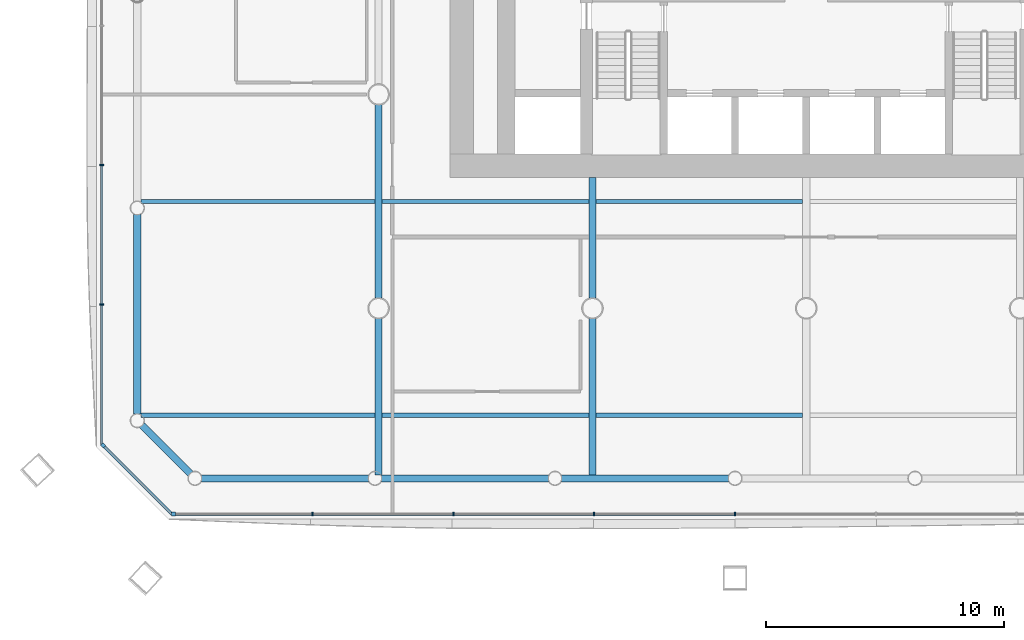
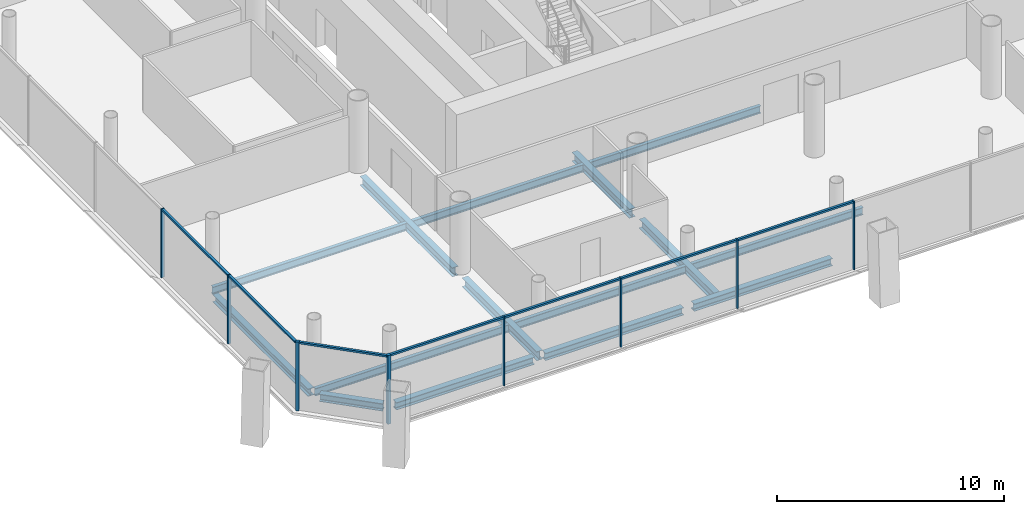
# One storey, part 3 of 21: 15 beams, 15 members, 3 elements without a shape of their own.
"""IFC4 building model written with IfcOpenShell, lengths in metres."""

from ifc_helpers import new_model, si_unit, direction, frame, origin, origin_2d, place, context, subcontext, project, spatial, rectangle, i_section, extrude, material, material_profile, profile_set, type_object, element, aggregate, save


model = new_model("IFC4")

# Units and contexts
model_context = context("Model", 3, precision=1e-05, world=origin(), true_north=direction((0.0, 1.0)))
body_context = subcontext(model_context, "Body", "Model", "MODEL_VIEW")
ifc_project = project(units=[si_unit("LENGTHUNIT", "METRE"), si_unit("AREAUNIT", "SQUARE_METRE"), si_unit("VOLUMEUNIT", "CUBIC_METRE"), si_unit("PLANEANGLEUNIT", "RADIAN"), si_unit("MASSUNIT", "GRAM", prefix="KILO")], contexts=[model_context])

# Site, building, storey
site_placement = place(None, origin())
site = spatial("IfcSite", under=ifc_project, at=site_placement, CompositionType="ELEMENT")
building_placement = place(site_placement, origin())
building = spatial("IfcBuilding", under=site, at=building_placement, Name="Tskaro Facet Tower", CompositionType="ELEMENT")
storey_placement = place(building_placement, frame((0.0, 0.0, 42.0)))
storey = spatial("IfcBuildingStorey", under=building, at=storey_placement, Name="L09", CompositionType="ELEMENT", Elevation=42.0)

# Curtain wall, member
ifc_material_1 = material(Name="Bronze anodised aluminium 6063-T6", Category="aluminium")
curtain_wall_type = type_object("IfcCurtainWallType", Name="Bronze office curtain wall (FW1)", PredefinedType="NOTDEFINED", material=ifc_material_1)
curtain_wall_1_placement = place(storey_placement, origin())
curtain_wall_1 = element("IfcCurtainWall", 1, at=curtain_wall_1_placement, inside=storey, type_object=curtain_wall_type, Name="FW1 south facet L09", PredefinedType="NOTDEFINED")
ifc_material_profile_1 = material_profile(ifc_material_1, rectangle(XDim=0.159912109375, YDim=0.159912109375, at=origin_2d()), Name="Corner post 160x160")
ifc_profile_set_1 = profile_set([ifc_material_profile_1], Name="Bronze anodised aluminium 6063-T6")
member_type_1 = type_object("IfcMemberType", Name="FW1 bronze corner post 160x160", PredefinedType="MULLION", material=ifc_profile_set_1)
member_1_placement = place(storey_placement, frame((-26.633056640625, -26.654052734375, 0.0), z_axis=(0.0, 0.0, 1.0), x_axis=(1.0, 0.0, 0.0)))
member_1 = element("IfcMember", 2, at=member_1_placement, type_object=member_type_1, Name="FW1 south corner post", PredefinedType="MULLION", context=body_context, shape_type="SweptSolid", body=[
    extrude(rectangle(XDim=0.159912109375, YDim=0.159912109375, at=origin_2d()), origin(), (0.0, 0.0, 1.0), 3.699951171875),
])

curtain_wall_2_placement = place(storey_placement, origin())
curtain_wall_2 = element("IfcCurtainWall", 3, at=curtain_wall_2_placement, inside=storey, type_object=curtain_wall_type, Name="FW1 south-west facet L09", PredefinedType="NOTDEFINED")
member_2_placement = place(storey_placement, frame((-29.597412109375, -23.76953125, 0.0), z_axis=(0.0, 0.0, 1.0), x_axis=(0.707106781187, -0.707106781187, 0.0)))
member_2 = element("IfcMember", 4, at=member_2_placement, type_object=member_type_1, Name="FW1 south-west corner post", PredefinedType="MULLION", context=body_context, shape_type="SweptSolid", body=[
    extrude(rectangle(XDim=0.159912109375, YDim=0.159912109375, at=origin_2d()), origin(), (0.0, 0.0, 1.0), 3.699951171875),
])

# Member
ifc_material_profile_2 = material_profile(ifc_material_1, rectangle(XDim=0.06005859375, YDim=0.159912109375, at=origin_2d()), Name="Mullion 60x160")
ifc_profile_set_2 = profile_set([ifc_material_profile_2], Name="Bronze anodised aluminium 6063-T6")
member_type_2 = type_object("IfcMemberType", Name="FW1 bronze mullion 60x160", PredefinedType="MULLION", material=ifc_profile_set_2)
member_3_placement = place(storey_placement, frame((-20.78466796875, -26.654052734375, 0.0), z_axis=(0.0, 0.0, 1.0), x_axis=(1.0, 0.0, 0.0)))
member_3 = element("IfcMember", 5, at=member_3_placement, type_object=member_type_2, Name="FW1 south mullion 1", PredefinedType="MULLION", context=body_context, shape_type="SweptSolid", body=[
    extrude(rectangle(XDim=0.06005859375, YDim=0.159912109375, at=origin_2d()), origin(), (0.0, 0.0, 1.0), 3.699951171875),
])

member_4_placement = place(storey_placement, frame((-14.8564453125, -26.654052734375, 0.0), z_axis=(0.0, 0.0, 1.0), x_axis=(1.0, 0.0, 0.0)))
member_4 = element("IfcMember", 6, at=member_4_placement, type_object=member_type_2, Name="FW1 south mullion 2", PredefinedType="MULLION", context=body_context, shape_type="SweptSolid", body=[
    extrude(rectangle(XDim=0.06005859375, YDim=0.159912109375, at=origin_2d()), origin(), (0.0, 0.0, 1.0), 3.699951171875),
])

member_5_placement = place(storey_placement, frame((-8.92822265625, -26.654052734375, 0.0), z_axis=(0.0, 0.0, 1.0), x_axis=(1.0, 0.0, 0.0)))
member_5 = element("IfcMember", 7, at=member_5_placement, type_object=member_type_2, Name="FW1 south mullion 3", PredefinedType="MULLION", context=body_context, shape_type="SweptSolid", body=[
    extrude(rectangle(XDim=0.06005859375, YDim=0.159912109375, at=origin_2d()), origin(), (0.0, 0.0, 1.0), 3.699951171875),
])

member_6_placement = place(storey_placement, frame((-3.0, -26.654052734375, 0.0), z_axis=(0.0, 0.0, 1.0), x_axis=(1.0, 0.0, 0.0)))
member_6 = element("IfcMember", 8, at=member_6_placement, type_object=member_type_2, Name="FW1 south mullion 4", PredefinedType="MULLION", context=body_context, shape_type="SweptSolid", body=[
    extrude(rectangle(XDim=0.06005859375, YDim=0.159912109375, at=origin_2d()), origin(), (0.0, 0.0, 1.0), 3.699951171875),
])

# Curtain wall, members
curtain_wall_3_placement = place(storey_placement, origin())
curtain_wall_3 = element("IfcCurtainWall", 9, at=curtain_wall_3_placement, inside=storey, type_object=curtain_wall_type, Name="FW1 west facet L09", PredefinedType="NOTDEFINED")
member_7_placement = place(storey_placement, frame((-29.654052734375, -11.97607421875, 0.0), z_axis=(0.0, 0.0, 1.0), x_axis=(0.0, -1.0, 0.0)))
member_7 = element("IfcMember", 10, at=member_7_placement, type_object=member_type_2, Name="FW1 west mullion 6", PredefinedType="MULLION", context=body_context, shape_type="SweptSolid", body=[
    extrude(rectangle(XDim=0.06005859375, YDim=0.159912109375, at=origin_2d()), origin(), (0.0, 0.0, 1.0), 3.699951171875),
])
member_8_placement = place(storey_placement, frame((-29.654052734375, -17.844482421875, 0.0), z_axis=(0.0, 0.0, 1.0), x_axis=(0.0, -1.0, 0.0)))
member_8 = element("IfcMember", 11, at=member_8_placement, type_object=member_type_2, Name="FW1 west mullion 7", PredefinedType="MULLION", context=body_context, shape_type="SweptSolid", body=[
    extrude(rectangle(XDim=0.06005859375, YDim=0.159912109375, at=origin_2d()), origin(), (0.0, 0.0, 1.0), 3.699951171875),
])

# Member
ifc_material_profile_3 = material_profile(ifc_material_1, rectangle(XDim=0.1201171875, YDim=0.10009765625, at=origin_2d()), Name="Transom 120x100")
ifc_profile_set_3 = profile_set([ifc_material_profile_3], Name="Bronze anodised aluminium 6063-T6")
member_type_3 = type_object("IfcMemberType", Name="FW1 bronze transom 120x100", PredefinedType="USERDEFINED", material=ifc_profile_set_3)
member_9_placement = place(storey_placement, frame((-26.552978515625, -26.654052734375, 3.64990234375), z_axis=(1.0, 0.0, 0.0), x_axis=(0.0, 1.0, 0.0)))
member_9 = element("IfcMember", 12, at=member_9_placement, type_object=member_type_3, Name="FW1 south transom 1.1", ObjectType="TRANSOM", PredefinedType="USERDEFINED", context=body_context, shape_type="SweptSolid", body=[
    extrude(rectangle(XDim=0.1201171875, YDim=0.10009765625, at=origin_2d()), origin(), (0.0, 0.0, 1.0), 5.73828125),
])

member_10_placement = place(storey_placement, frame((-20.754638671875, -26.654052734375, 3.64990234375), z_axis=(1.0, 0.0, 0.0), x_axis=(0.0, 1.0, 0.0)))
member_10 = element("IfcMember", 13, at=member_10_placement, type_object=member_type_3, Name="FW1 south transom 2.1", ObjectType="TRANSOM", PredefinedType="USERDEFINED", context=body_context, shape_type="SweptSolid", body=[
    extrude(rectangle(XDim=0.1201171875, YDim=0.10009765625, at=origin_2d()), origin(), (0.0, 0.0, 1.0), 5.8681640625),
])

member_11_placement = place(storey_placement, frame((-14.826416015625, -26.654052734375, 3.64990234375), z_axis=(1.0, 0.0, 0.0), x_axis=(0.0, 1.0, 0.0)))
member_11 = element("IfcMember", 14, at=member_11_placement, type_object=member_type_3, Name="FW1 south transom 3.1", ObjectType="TRANSOM", PredefinedType="USERDEFINED", context=body_context, shape_type="SweptSolid", body=[
    extrude(rectangle(XDim=0.1201171875, YDim=0.10009765625, at=origin_2d()), origin(), (0.0, 0.0, 1.0), 5.8681640625),
])

member_12_placement = place(storey_placement, frame((-8.898193359375, -26.654052734375, 3.64990234375), z_axis=(1.0, 0.0, 0.0), x_axis=(0.0, 1.0, 0.0)))
member_12 = element("IfcMember", 15, at=member_12_placement, type_object=member_type_3, Name="FW1 south transom 4.1", ObjectType="TRANSOM", PredefinedType="USERDEFINED", context=body_context, shape_type="SweptSolid", body=[
    extrude(rectangle(XDim=0.1201171875, YDim=0.10009765625, at=origin_2d()), origin(), (0.0, 0.0, 1.0), 5.8681640625),
])

aggregate(curtain_wall_1, [member_1, member_3, member_4, member_5, member_6, member_9, member_10, member_11, member_12])

member_13_placement = place(storey_placement, frame((-29.654052734375, -12.006103515625, 3.64990234375), z_axis=(0.0, -1.0, 0.0), x_axis=(1.0, 0.0, 0.0)))
member_13 = element("IfcMember", 16, at=member_13_placement, type_object=member_type_3, Name="FW1 west transom 7.1", ObjectType="TRANSOM", PredefinedType="USERDEFINED", context=body_context, shape_type="SweptSolid", body=[
    extrude(rectangle(XDim=0.1201171875, YDim=0.10009765625, at=origin_2d()), origin(), (0.0, 0.0, 1.0), 5.808349609375),
])

member_14_placement = place(storey_placement, frame((-29.654052734375, -17.87451171875, 3.64990234375), z_axis=(0.0, -1.0, 0.0), x_axis=(1.0, 0.0, 0.0)))
member_14 = element("IfcMember", 17, at=member_14_placement, type_object=member_type_3, Name="FW1 west transom 8.1", ObjectType="TRANSOM", PredefinedType="USERDEFINED", context=body_context, shape_type="SweptSolid", body=[
    extrude(rectangle(XDim=0.1201171875, YDim=0.10009765625, at=origin_2d()), origin(), (0.0, 0.0, 1.0), 5.83837890625),
])

aggregate(curtain_wall_3, [member_7, member_8, member_13, member_14])

member_15_placement = place(storey_placement, frame((-29.540771484375, -23.826171875, 3.64990234375), z_axis=(0.707106781187, -0.707106781187, 0.0), x_axis=(0.707106781187, 0.707106781187, 0.0)))
member_15 = element("IfcMember", 18, at=member_15_placement, type_object=member_type_3, Name="FW1 south-west transom 1.1", ObjectType="TRANSOM", PredefinedType="USERDEFINED", context=body_context, shape_type="SweptSolid", body=[
    extrude(rectangle(XDim=0.1201171875, YDim=0.10009765625, at=origin_2d()), origin(), (0.0, 0.0, 1.0), 3.999267578125),
])

aggregate(curtain_wall_2, [member_2, member_15])

# Beams
ifc_material_2 = material(Name="Steel S355J2", Category="steel")
ifc_material_profile_4 = material_profile(ifc_material_2, i_section(OverallWidth=0.300048828125, OverallDepth=0.39990234375, WebThickness=0.013427734375, FlangeThickness=0.02392578125, FilletRadius=0.027099609375, at=origin_2d()), Name="HE 400 B")
ifc_profile_set_4 = profile_set([ifc_material_profile_4], Name="Steel S355J2")
beam_type_1 = type_object("IfcBeamType", Name="HE 400 B ring beam", PredefinedType="BEAM", material=ifc_profile_set_4)
beam_1_placement = place(storey_placement, frame((-25.4541015625, -25.156982421875, -0.340087890625), z_axis=(1.0, 0.0, 0.0), x_axis=(0.0, 1.0, 0.0)))
element("IfcBeam", 19, at=beam_1_placement, inside=storey, type_object=beam_type_1, Name="HE 400 B EB1-1", PredefinedType="BEAM", context=body_context, shape_type="SweptSolid", body=[
    extrude(i_section(OverallWidth=0.300048828125, OverallDepth=0.39990234375, WebThickness=0.013427734375, FlangeThickness=0.02392578125, FilletRadius=0.027099609375, at=origin_2d()), origin(), (0.0, 0.0, 1.0), 7.026123046875),
])
beam_2_placement = place(storey_placement, frame((-17.8779296875, -25.156982421875, -0.340087890625), z_axis=(1.0, 0.0, 0.0), x_axis=(0.0, 1.0, 0.0)))
element("IfcBeam", 20, at=beam_2_placement, inside=storey, type_object=beam_type_1, Name="HE 400 B EB2-1", PredefinedType="BEAM", context=body_context, shape_type="SweptSolid", body=[
    extrude(i_section(OverallWidth=0.300048828125, OverallDepth=0.39990234375, WebThickness=0.013427734375, FlangeThickness=0.02392578125, FilletRadius=0.027099609375, at=origin_2d()), origin(), (0.0, 0.0, 1.0), 7.02685546875),
])
beam_3_placement = place(storey_placement, frame((-10.301025390625, -25.156982421875, -0.340087890625), z_axis=(1.0, 0.0, 0.0), x_axis=(0.0, 1.0, 0.0)))
element("IfcBeam", 21, at=beam_3_placement, inside=storey, type_object=beam_type_1, Name="HE 400 B EB3-1", PredefinedType="BEAM", context=body_context, shape_type="SweptSolid", body=[
    extrude(i_section(OverallWidth=0.300048828125, OverallDepth=0.39990234375, WebThickness=0.013427734375, FlangeThickness=0.02392578125, FilletRadius=0.027099609375, at=origin_2d()), origin(), (0.0, 0.0, 1.0), 7.026123046875),
])
beam_4_placement = place(storey_placement, frame((-28.156982421875, -14.055908203125, -0.340087890625), z_axis=(0.0, -1.0, 0.0), x_axis=(1.0, 0.0, 0.0)))
element("IfcBeam", 22, at=beam_4_placement, inside=storey, type_object=beam_type_1, Name="HE 400 B EB24-1", PredefinedType="BEAM", context=body_context, shape_type="SweptSolid", body=[
    extrude(i_section(OverallWidth=0.300048828125, OverallDepth=0.39990234375, WebThickness=0.013427734375, FlangeThickness=0.02392578125, FilletRadius=0.027099609375, at=origin_2d()), origin(), (0.0, 0.0, 1.0), 8.398193359375),
])
beam_5_placement = place(storey_placement, frame((-27.962646484375, -22.92333984375, -0.340087890625), z_axis=(0.707106781187, -0.707106781187, 0.0), x_axis=(0.707106781187, 0.707106781187, 0.0)))
element("IfcBeam", 23, at=beam_5_placement, inside=storey, type_object=beam_type_1, Name="HE 400 B EB25-1", PredefinedType="BEAM", context=body_context, shape_type="SweptSolid", body=[
    extrude(i_section(OverallWidth=0.300048828125, OverallDepth=0.39990234375, WebThickness=0.013427734375, FlangeThickness=0.02392578125, FilletRadius=0.027099609375, at=origin_2d()), origin(), (0.0, 0.0, 1.0), 2.884033203125),
])
ifc_material_profile_5 = material_profile(ifc_material_2, i_section(OverallWidth=0.300048828125, OverallDepth=0.489990234375, WebThickness=0.011962890625, FlangeThickness=0.02294921875, FilletRadius=0.027099609375, at=origin_2d()), Name="HE 500 A")
ifc_profile_set_5 = profile_set([ifc_material_profile_5], Name="Steel S355J2")
beam_type_2 = type_object("IfcBeamType", Name="HE 500 A girder", PredefinedType="BEAM", material=ifc_profile_set_5)
beam_6_placement = place(storey_placement, frame((-18.0, -25.007080078125, -0.385009765625), z_axis=(0.0, 1.0, 0.0), x_axis=(-1.0, 0.0, 0.0)))
element("IfcBeam", 24, at=beam_6_placement, inside=storey, type_object=beam_type_2, Name="HE 500 A GB2-1-1", PredefinedType="BEAM", context=body_context, shape_type="SweptSolid", body=[
    extrude(i_section(OverallWidth=0.300048828125, OverallDepth=0.489990234375, WebThickness=0.011962890625, FlangeThickness=0.02294921875, FilletRadius=0.027099609375, at=origin_2d()), origin(), (0.0, 0.0, 1.0), 6.579833984375),
])
beam_7_placement = place(storey_placement, frame((-18.0, -17.57275390625, -0.385009765625), z_axis=(0.0, 1.0, 0.0), x_axis=(-1.0, 0.0, 0.0)))
element("IfcBeam", 25, at=beam_7_placement, inside=storey, type_object=beam_type_2, Name="HE 500 A GB2-2-1", PredefinedType="BEAM", context=body_context, shape_type="SweptSolid", body=[
    extrude(i_section(OverallWidth=0.300048828125, OverallDepth=0.489990234375, WebThickness=0.011962890625, FlangeThickness=0.02294921875, FilletRadius=0.027099609375, at=origin_2d()), origin(), (0.0, 0.0, 1.0), 8.1455078125),
])
beam_8_placement = place(storey_placement, frame((-9.0, -25.007080078125, -0.385009765625), z_axis=(0.0, 1.0, 0.0), x_axis=(-1.0, 0.0, 0.0)))
element("IfcBeam", 26, at=beam_8_placement, inside=storey, type_object=beam_type_2, Name="HE 500 A GB3-1-1", PredefinedType="BEAM", context=body_context, shape_type="SweptSolid", body=[
    extrude(i_section(OverallWidth=0.300048828125, OverallDepth=0.489990234375, WebThickness=0.011962890625, FlangeThickness=0.02294921875, FilletRadius=0.027099609375, at=origin_2d()), origin(), (0.0, 0.0, 1.0), 6.579833984375),
])
beam_9_placement = place(storey_placement, frame((-9.0, -17.57275390625, -0.385009765625), z_axis=(0.0, 1.0, 0.0), x_axis=(-1.0, 0.0, 0.0)))
element("IfcBeam", 27, at=beam_9_placement, inside=storey, type_object=beam_type_2, Name="HE 500 A GB3-2-1", PredefinedType="BEAM", context=body_context, shape_type="SweptSolid", body=[
    extrude(i_section(OverallWidth=0.300048828125, OverallDepth=0.489990234375, WebThickness=0.011962890625, FlangeThickness=0.02294921875, FilletRadius=0.027099609375, at=origin_2d()), origin(), (0.0, 0.0, 1.0), 5.07275390625),
])
ifc_material_profile_6 = material_profile(ifc_material_2, i_section(OverallWidth=0.179931640625, OverallDepth=0.39990234375, WebThickness=0.008544921875, FlangeThickness=0.013427734375, FilletRadius=0.02099609375, at=origin_2d()), Name="IPE 400")
ifc_profile_set_6 = profile_set([ifc_material_profile_6], Name="Steel S355J2")
beam_type_3 = type_object("IfcBeamType", Name="IPE 400 secondary beam", PredefinedType="BEAM", material=ifc_profile_set_6)
beam_10_placement = place(storey_placement, frame((-28.007080078125, -22.5, -0.340087890625), z_axis=(1.0, 0.0, 0.0), x_axis=(0.0, 1.0, 0.0)))
element("IfcBeam", 28, at=beam_10_placement, inside=storey, type_object=beam_type_3, Name="IPE 400 SB1a-1-1", PredefinedType="BEAM", context=body_context, shape_type="SweptSolid", body=[
    extrude(i_section(OverallWidth=0.179931640625, OverallDepth=0.39990234375, WebThickness=0.008544921875, FlangeThickness=0.013427734375, FilletRadius=0.02099609375, at=origin_2d()), origin(), (0.0, 0.0, 1.0), 9.857177734375),
])
for number, where, z_axis, x_axis, name in (
    (29, (-17.85009765625, -22.5, -0.340087890625), (1.0, 0.0, 0.0), (0.0, 1.0, 0.0), "IPE 400 SB1a-2-1"),
    (30, (-8.85009765625, -22.5, -0.340087890625), (1.0, 0.0, 0.0), (0.0, 1.0, 0.0), "IPE 400 SB1a-3-1"),
):
    element("IfcBeam", number, at=place(storey_placement, frame(where, z_axis=z_axis, x_axis=x_axis)), inside=storey, type_object=beam_type_3, Name=name, PredefinedType="BEAM", context=body_context, shape_type="SweptSolid", body=[
        extrude(i_section(OverallWidth=0.179931640625, OverallDepth=0.39990234375, WebThickness=0.008544921875, FlangeThickness=0.013427734375, FilletRadius=0.02099609375, at=origin_2d()), origin(), (0.0, 0.0, 1.0), 8.7001953125),
    ])
beam_11_placement = place(storey_placement, frame((-28.007080078125, -13.5, -0.340087890625), z_axis=(1.0, 0.0, 0.0), x_axis=(0.0, 1.0, 0.0)))
element("IfcBeam", 31, at=beam_11_placement, inside=storey, type_object=beam_type_3, Name="IPE 400 SB2a-1-1", PredefinedType="BEAM", context=body_context, shape_type="SweptSolid", body=[
    extrude(i_section(OverallWidth=0.179931640625, OverallDepth=0.39990234375, WebThickness=0.008544921875, FlangeThickness=0.013427734375, FilletRadius=0.02099609375, at=origin_2d()), origin(), (0.0, 0.0, 1.0), 9.857177734375),
])
for number, where, z_axis, x_axis, name in (
    (32, (-17.85009765625, -13.5, -0.340087890625), (1.0, 0.0, 0.0), (0.0, 1.0, 0.0), "IPE 400 SB2a-2-1"),
    (33, (-8.85009765625, -13.5, -0.340087890625), (1.0, 0.0, 0.0), (0.0, 1.0, 0.0), "IPE 400 SB2a-3-1"),
):
    element("IfcBeam", number, at=place(storey_placement, frame(where, z_axis=z_axis, x_axis=x_axis)), inside=storey, type_object=beam_type_3, Name=name, PredefinedType="BEAM", context=body_context, shape_type="SweptSolid", body=[
        extrude(i_section(OverallWidth=0.179931640625, OverallDepth=0.39990234375, WebThickness=0.008544921875, FlangeThickness=0.013427734375, FilletRadius=0.02099609375, at=origin_2d()), origin(), (0.0, 0.0, 1.0), 8.7001953125),
    ])

save(model, "model.ifc")
